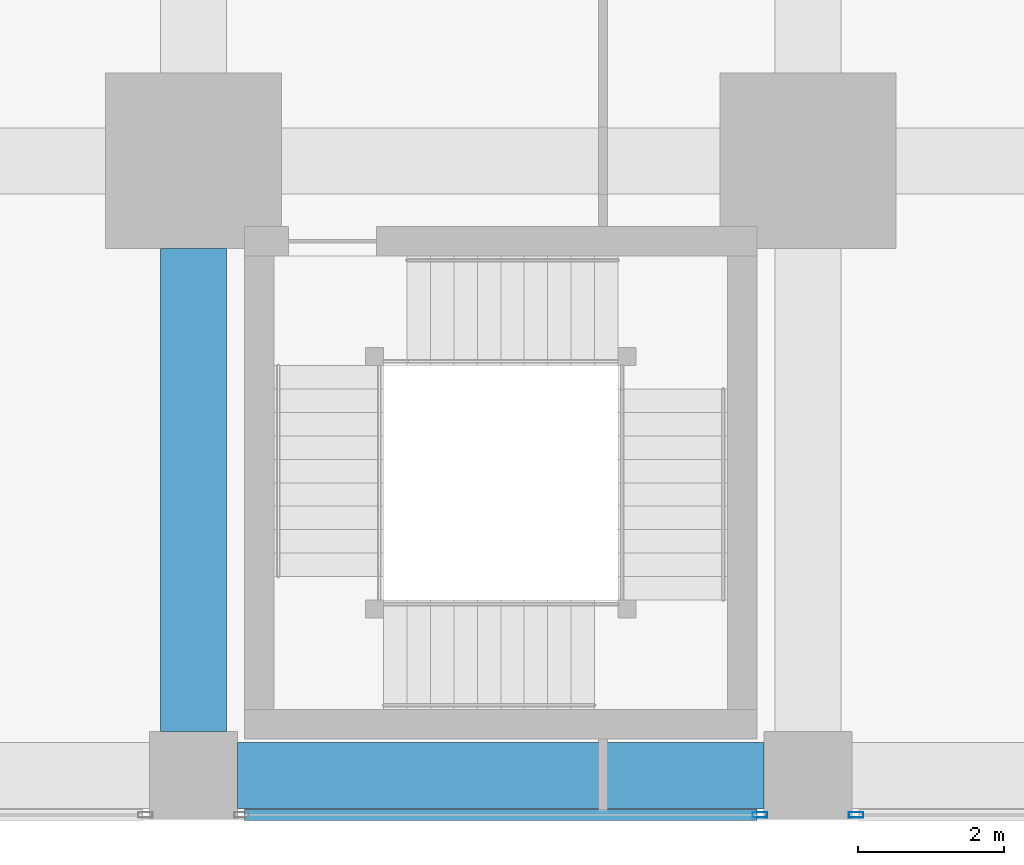
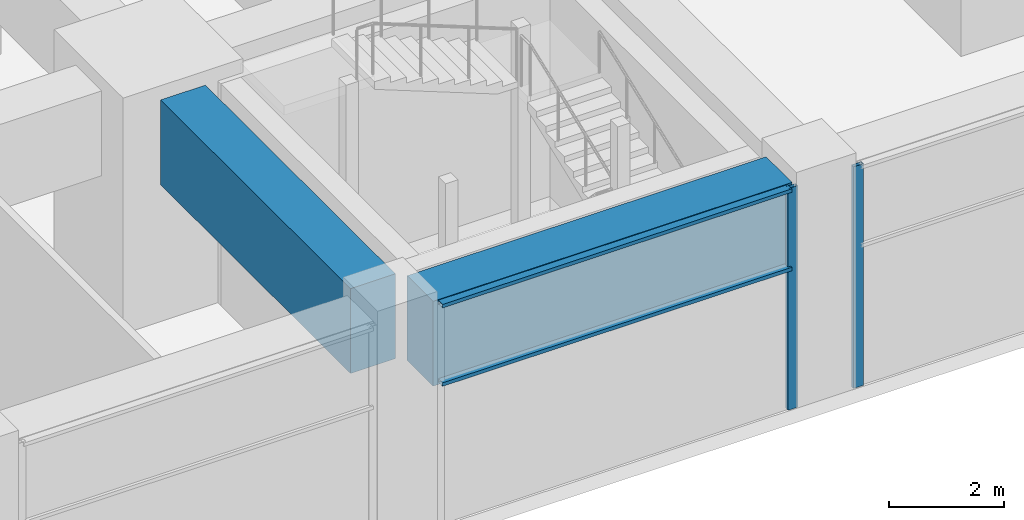
# One storey, part 7 of 49: 4 members, 2 beams, 2 elements without a shape of their own.
"""IFC4 building model written with IfcOpenShell, lengths in metres."""

from ifc_helpers import new_model, si_unit, direction, frame, origin, origin_2d, place, context, subcontext, project, spatial, rectangle, hollow_rectangle, extrude, material, material_profile, profile_set, type_object, element, aggregate, save


model = new_model("IFC4")

# Units and contexts
model_context = context("Model", 3, precision=1e-05, world=origin(), true_north=direction((0.0, 1.0)))
body_context = subcontext(model_context, "Body", "Model", "MODEL_VIEW")
ifc_project = project(units=[si_unit("LENGTHUNIT", "METRE"), si_unit("AREAUNIT", "SQUARE_METRE"), si_unit("VOLUMEUNIT", "CUBIC_METRE"), si_unit("PLANEANGLEUNIT", "RADIAN"), si_unit("MASSUNIT", "GRAM", prefix="KILO")], contexts=[model_context])

# Site, building, storey
site_placement = place(None, origin())
site = spatial("IfcSite", under=ifc_project, at=site_placement, CompositionType="ELEMENT")
building_placement = place(site_placement, origin())
building = spatial("IfcBuilding", under=site, at=building_placement, Name="Rekha Terrace Tower", CompositionType="ELEMENT")
storey_placement = place(building_placement, frame((0.0, 0.0, 5.39990234375)))
storey = spatial("IfcBuildingStorey", under=building, at=storey_placement, Name="L01", CompositionType="ELEMENT", Elevation=5.39990234375)

# Curtain wall, member
ifc_material_1 = material(Name="Aluminium framing", Category="aluminium")
curtain_wall_type = type_object("IfcCurtainWallType", Name="CW4 podium shopfront glazing", PredefinedType="USERDEFINED", material=ifc_material_1)
curtain_wall_1_placement = place(storey_placement, origin())
curtain_wall_1 = element("IfcCurtainWall", 1, at=curtain_wall_1_placement, inside=storey, type_object=curtain_wall_type, Name="CW4 shopfront curtain wall", ObjectType="SHOPFRONT CURTAIN WALL", PredefinedType="USERDEFINED")
ifc_material_2 = material(Name="Aluminium mullion section", Category="aluminium")
ifc_material_profile_1 = material_profile(ifc_material_2, hollow_rectangle(XDim=0.074951171875, YDim=0.199951171875, WallThickness=0.00390625, at=origin_2d()), Name="AL RHS 75x200")
ifc_profile_set_1 = profile_set([ifc_material_profile_1], Name="Aluminium mullion section")
member_type_1 = type_object("IfcMemberType", Name="CW4 mullion RHS 75 x 200", PredefinedType="MULLION", material=ifc_profile_set_1)
member_1_placement = place(storey_placement, frame((24.54248046875, -0.5400390625, 0.0), z_axis=(0.0, 0.0, 1.0), x_axis=(0.0, 1.0, 0.0)))
member_1 = element("IfcMember", 2, at=member_1_placement, type_object=member_type_1, Name="CW4 mullion 2", PredefinedType="MULLION", context=body_context, shape_type="SweptSolid", body=[
    extrude(hollow_rectangle(XDim=0.074951171875, YDim=0.199951171875, WallThickness=0.00390625, at=origin_2d()), origin(), (0.0, 0.0, 1.0), 4.7001953125),
])

curtain_wall_2_placement = place(storey_placement, origin())
curtain_wall_2 = element("IfcCurtainWall", 3, at=curtain_wall_2_placement, inside=storey, type_object=curtain_wall_type, Name="CW4 shopfront curtain wall", ObjectType="SHOPFRONT CURTAIN WALL", PredefinedType="USERDEFINED")
member_2_placement = place(storey_placement, frame((25.857421875, -0.5400390625, 0.0), z_axis=(0.0, 0.0, 1.0), x_axis=(0.0, 1.0, 0.0)))
member_2 = element("IfcMember", 4, at=member_2_placement, type_object=member_type_1, Name="CW4 mullion 1", PredefinedType="MULLION", context=body_context, shape_type="SweptSolid", body=[
    extrude(hollow_rectangle(XDim=0.074951171875, YDim=0.199951171875, WallThickness=0.00390625, at=origin_2d()), origin(), (0.0, 0.0, 1.0), 4.7001953125),
])
aggregate(curtain_wall_2, [member_2])

# Member
ifc_material_3 = material(Name="Aluminium transom section", Category="aluminium")
ifc_material_profile_2 = material_profile(ifc_material_3, hollow_rectangle(XDim=0.14990234375, YDim=0.074951171875, WallThickness=0.0029296875, at=origin_2d()), Name="AL RHS 150x75")
ifc_profile_set_2 = profile_set([ifc_material_profile_2], Name="Aluminium transom section")
member_type_2 = type_object("IfcMemberType", Name="CW4 transom RHS 75 x 150", PredefinedType="USERDEFINED", material=ifc_profile_set_2)
member_3_placement = place(storey_placement, frame((17.4951171875, -0.5400390625, 3.0), z_axis=(1.0, 0.0, 0.0), x_axis=(0.0, 1.0, 0.0)))
member_3 = element("IfcMember", 5, at=member_3_placement, type_object=member_type_2, Name="CW4 transom 1.2", ObjectType="TRANSOM", PredefinedType="USERDEFINED", context=body_context, shape_type="SweptSolid", body=[
    extrude(hollow_rectangle(XDim=0.14990234375, YDim=0.074951171875, WallThickness=0.0029296875, at=origin_2d()), origin(), (0.0, 0.0, 1.0), 7.009765625),
])

member_4_placement = place(storey_placement, frame((17.4951171875, -0.5400390625, 4.66259765625), z_axis=(1.0, 0.0, 0.0), x_axis=(0.0, 1.0, 0.0)))
member_4 = element("IfcMember", 6, at=member_4_placement, type_object=member_type_2, Name="CW4 transom 1.3", ObjectType="TRANSOM", PredefinedType="USERDEFINED", context=body_context, shape_type="SweptSolid", body=[
    extrude(hollow_rectangle(XDim=0.14990234375, YDim=0.074951171875, WallThickness=0.0029296875, at=origin_2d()), origin(), (0.0, 0.0, 1.0), 7.009765625),
])

aggregate(curtain_wall_1, [member_1, member_3, member_4])

# Beams
ifc_material_4 = material(Name="Concrete M60", Category="concrete")
ifc_material_profile_3 = material_profile(ifc_material_4, rectangle(XDim=0.89990234375, YDim=1.800048828125, at=origin_2d()), Name="RC 900x1800")
ifc_profile_set_3 = profile_set([ifc_material_profile_3], Name="Concrete M60")
beam_type = type_object("IfcBeamType", Name="G1 900x1800 podium floor beam", PredefinedType="BEAM", material=ifc_profile_set_3)
beam_1_placement = place(storey_placement, frame((17.39990234375, 0.0, 3.800048828125), z_axis=(1.0, 0.0, 0.0), x_axis=(0.0, 1.0, 0.0)))
element("IfcBeam", 7, at=beam_1_placement, inside=storey, type_object=beam_type, Name="Beam G1 3A-4A under L02", PredefinedType="BEAM", context=body_context, shape_type="SweptSolid", body=[
    extrude(rectangle(XDim=0.89990234375, YDim=1.800048828125, at=origin_2d()), origin(), (0.0, 0.0, 1.0), 7.2001953125),
])
beam_2_placement = place(storey_placement, frame((16.800048828125, 0.60009765625, 3.800048828125), z_axis=(0.0, 1.0, 0.0), x_axis=(-1.0, 0.0, 0.0)))
element("IfcBeam", 8, at=beam_2_placement, inside=storey, type_object=beam_type, Name="Beam G1 3A-3B under L02", PredefinedType="BEAM", context=body_context, shape_type="SweptSolid", body=[
    extrude(rectangle(XDim=0.89990234375, YDim=1.800048828125, at=origin_2d()), origin(), (0.0, 0.0, 1.0), 6.599853515625),
])

save(model, "model.ifc")
